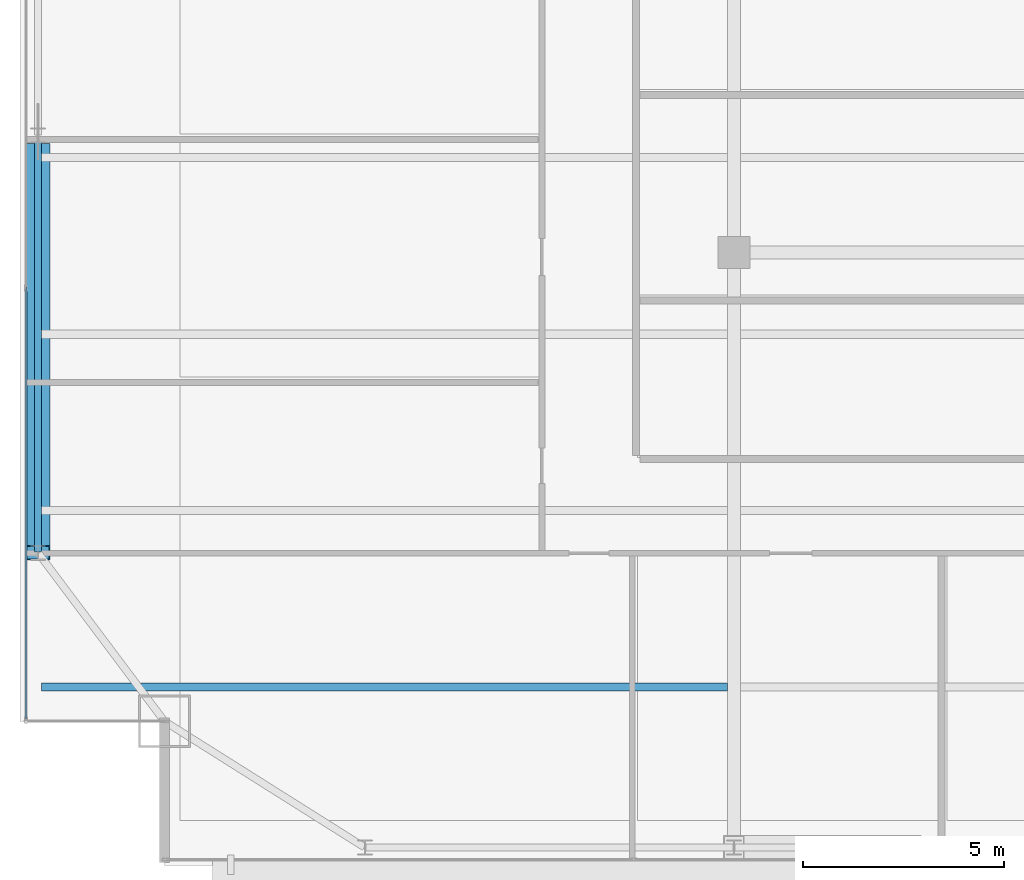
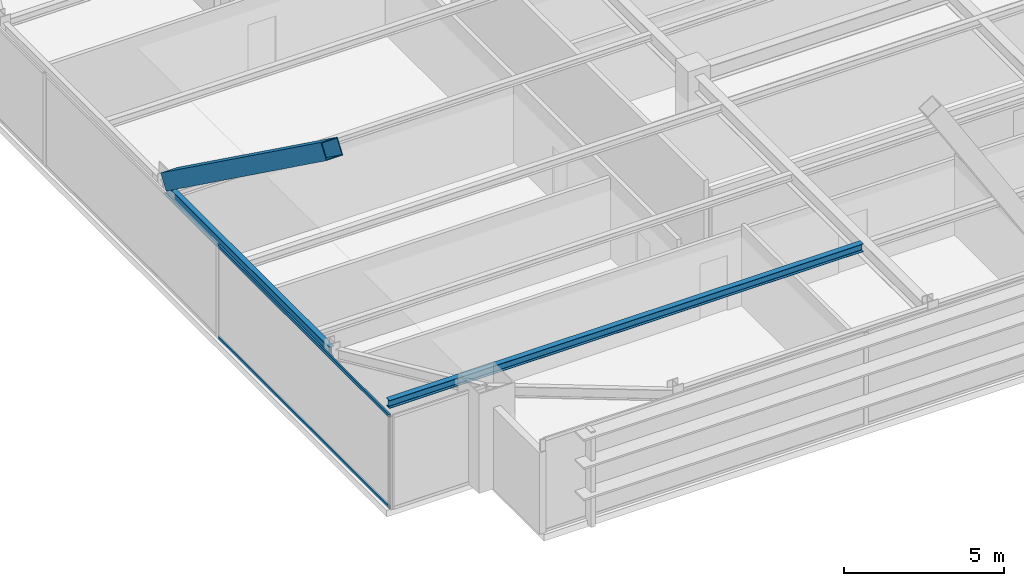
# One storey, part 6 of 30: 3 members, 2 beams, 1 element without a shape of its own.
"""IFC4 building model written with IfcOpenShell, lengths in metres."""

from ifc_helpers import new_model, si_unit, direction, frame, origin, origin_2d, place, context, subcontext, project, spatial, hollow_rectangle, i_section, extrude, source, transform, mapped, material, layer, layer_set, material_profile, profile_set, type_object, type_shapes, element, aggregate, save


model = new_model("IFC4")

# Units and contexts
model_context = context("Model", 3, precision=1e-05, world=origin(), true_north=direction((0.0, 1.0)))
body_context = subcontext(model_context, "Body", "Model", "MODEL_VIEW")
ifc_project = project(units=[si_unit("LENGTHUNIT", "METRE"), si_unit("AREAUNIT", "SQUARE_METRE"), si_unit("VOLUMEUNIT", "CUBIC_METRE"), si_unit("PLANEANGLEUNIT", "RADIAN"), si_unit("MASSUNIT", "GRAM", prefix="KILO")], contexts=[model_context])

# Site, building, storey
site_placement = place(None, origin())
site = spatial("IfcSite", under=ifc_project, at=site_placement, CompositionType="ELEMENT")
building_placement = place(site_placement, origin())
building = spatial("IfcBuilding", under=site, at=building_placement, Name="Varnel Quay Broadcast Tower", CompositionType="ELEMENT")
storey_placement = place(building_placement, frame((0.0, 0.0, 180.0)))
storey = spatial("IfcBuildingStorey", under=building, at=storey_placement, Name="L44", CompositionType="ELEMENT", Elevation=180.0)

# Beams
ifc_material_1 = material(Name="Structural Steel CSA G40.21 350W", Category="steel")
ifc_material_profile_1 = material_profile(ifc_material_1, i_section(OverallWidth=0.180908203125, OverallDepth=0.4169921875, WebThickness=0.010986328125, FlangeThickness=0.018310546875, FilletRadius=0.011962890625, at=origin_2d()), Name="W410X85")
ifc_profile_set_1 = profile_set([ifc_material_profile_1], Name="Structural Steel CSA G40.21 350W")
beam_type_1 = type_object("IfcBeamType", Name="Beam_W410X85", PredefinedType="SPANDREL", material=ifc_profile_set_1)
shared_shape_1 = source(origin(), body_context, "Body", "SweptSolid", [
    extrude(i_section(OverallWidth=0.180908203125, OverallDepth=0.4169921875, WebThickness=0.010986328125, FlangeThickness=0.018310546875, FilletRadius=0.011962890625, at=origin_2d()), origin(), (0.0, 0.0, 1.0), 10.35986328125),
])
type_shapes(beam_type_1, [shared_shape_1])
beam_1_placement = place(storey_placement, frame((7.449951171875, 15.02001953125, 3.341552734375), z_axis=(0.0, 1.0, 0.0), x_axis=(-1.0, 0.0, 0.0)))
element("IfcBeam", 1, at=beam_1_placement, inside=storey, type_object=beam_type_1, Name="L44 West Spandrel TC-W1-TC-W2", PredefinedType="SPANDREL", context=body_context, shape_type="MappedRepresentation", body=[
    mapped(shared_shape_1, transform((0.0, 0.0, 0.0), x_axis=(1.0, 0.0, 0.0), y_axis=(0.0, 1.0, 0.0), z_axis=(0.0, 0.0, 1.0), scale=1.0)),
])
ifc_material_profile_2 = material_profile(ifc_material_1, i_section(OverallWidth=0.202880859375, OverallDepth=0.302978515625, WebThickness=0.007568359375, FlangeThickness=0.01318359375, FilletRadius=0.011962890625, at=origin_2d()), Name="W310X60")
ifc_profile_set_2 = profile_set([ifc_material_profile_2], Name="Structural Steel CSA G40.21 350W")
beam_type_2 = type_object("IfcBeamType", Name="Beam_W310X60", PredefinedType="JOIST", material=ifc_profile_set_2)
shared_shape_2 = source(origin(), body_context, "Body", "SweptSolid", [
    extrude(i_section(OverallWidth=0.202880859375, OverallDepth=0.302978515625, WebThickness=0.007568359375, FlangeThickness=0.01318359375, FilletRadius=0.011962890625, at=origin_2d()), origin(), (0.0, 0.0, 1.0), 17.107177734375),
])
type_shapes(beam_type_2, [shared_shape_2])
beam_2_placement = place(storey_placement, frame((7.535400390625, 11.64990234375, 3.3984375), z_axis=(1.0, 0.0, 0.0), x_axis=(0.0, 1.0, 0.0)))
element("IfcBeam", 2, at=beam_2_placement, inside=storey, type_object=beam_type_2, Name="L44 West Floor Joist 1", PredefinedType="JOIST", context=body_context, shape_type="MappedRepresentation", body=[
    mapped(shared_shape_2, transform((0.0, 0.0, 0.0), x_axis=(1.0, 0.0, 0.0), y_axis=(0.0, 1.0, 0.0), z_axis=(0.0, 0.0, 1.0), scale=1.0)),
])

# Member
ifc_material_2 = material(Name="Structural Steel CSA G40.21 350WT", Category="steel")
ifc_material_profile_3 = material_profile(ifc_material_2, hollow_rectangle(XDim=0.60009765625, YDim=0.60009765625, WallThickness=0.028076171875, at=origin_2d()), Name="BOX600X600X28")
ifc_profile_set_3 = profile_set([ifc_material_profile_3], Name="Structural Steel CSA G40.21 350WT")
member_type_1 = type_object("IfcMemberType", Name="Brace_BOX600X600X28", PredefinedType="BRACE", material=ifc_profile_set_3)
shared_shape_3 = source(origin(), body_context, "Body", "SweptSolid", [
    extrude(hollow_rectangle(XDim=0.60009765625, YDim=0.60009765625, WallThickness=0.028076171875, at=origin_2d()), origin(), (0.0, 0.0, 1.0), 12.365234375),
])
type_shapes(member_type_1, [shared_shape_3])
member_1_placement = place(storey_placement, frame((7.449951171875, 25.023681640625, 3.859619140625), z_axis=(0.0, -0.810634971987, 0.585551827075), x_axis=(1.0, 0.0, 0.0)))
element("IfcMember", 3, at=member_1_placement, inside=storey, type_object=member_type_1, Name="Zone 3 Mega-Brace W-FT3 Split Diag B2", PredefinedType="BRACE", context=body_context, shape_type="MappedRepresentation", body=[
    mapped(shared_shape_3, transform((0.0, 0.0, 0.0), x_axis=(1.0, 0.0, 0.0), y_axis=(0.0, 1.0, 0.0), z_axis=(0.0, 0.0, 1.0), scale=1.0)),
])

# Curtain wall, members
ifc_material_3 = material(Name="Anodised Bronze Aluminium 6063-T6", Category="aluminium")
ifc_layer = layer(ifc_material_3, 0.18994140625, Name="Anodised Bronze Aluminium 6063-T6")
ifc_layer_set = layer_set([ifc_layer], Name="Anodised Bronze Aluminium 6063-T6")
curtain_wall_type = type_object("IfcCurtainWallType", Name="CW_UpperTower", PredefinedType="NOTDEFINED", material=ifc_layer_set)
curtain_wall_placement = place(storey_placement, origin())
curtain_wall = element("IfcCurtainWall", 4, at=curtain_wall_placement, inside=storey, type_object=curtain_wall_type, Name="L44 West Unitised Curtain Wall", PredefinedType="NOTDEFINED")
ifc_material_profile_4 = material_profile(ifc_material_3, hollow_rectangle(XDim=0.06005859375, YDim=0.125, WallThickness=0.0029296875, at=origin_2d()), Name="ALU60X125X3")
ifc_profile_set_4 = profile_set([ifc_material_profile_4], Name="Anodised Bronze Aluminium 6063-T6")
member_type_2 = type_object("IfcMemberType", Name="Tran_CWS-03", PredefinedType="USERDEFINED", material=ifc_profile_set_4)
shared_shape_4 = source(origin(), body_context, "Body", "SweptSolid", [
    extrude(hollow_rectangle(XDim=0.06005859375, YDim=0.125, WallThickness=0.0029296875, at=origin_2d()), origin(), (0.0, 0.0, 1.0), 10.702392578125),
])
type_shapes(member_type_2, [shared_shape_4])
member_2_placement = place(storey_placement, frame((7.14990234375, 10.864990234375, 0.030029296875), z_axis=(0.0, 1.0, 0.0), x_axis=(-1.0, 0.0, 0.0)))
member_2 = element("IfcMember", 5, at=member_2_placement, type_object=member_type_2, Name="CWS-03 transom 1.1", ObjectType="TRANSOM", PredefinedType="USERDEFINED", context=body_context, shape_type="MappedRepresentation", body=[
    mapped(shared_shape_4, transform((0.0, 0.0, 0.0), x_axis=(1.0, 0.0, 0.0), y_axis=(0.0, 1.0, 0.0), z_axis=(0.0, 0.0, 1.0), scale=1.0)),
])
member_3_placement = place(storey_placement, frame((7.14990234375, 10.864990234375, 3.52001953125), z_axis=(0.0, 1.0, 0.0), x_axis=(-1.0, 0.0, 0.0)))
member_3 = element("IfcMember", 6, at=member_3_placement, type_object=member_type_2, Name="CWS-03 transom 1.2", ObjectType="TRANSOM", PredefinedType="USERDEFINED", context=body_context, shape_type="MappedRepresentation", body=[
    mapped(shared_shape_4, transform((0.0, 0.0, 0.0), x_axis=(1.0, 0.0, 0.0), y_axis=(0.0, 1.0, 0.0), z_axis=(0.0, 0.0, 1.0), scale=1.0)),
])
aggregate(curtain_wall, [member_2, member_3])

save(model, "model.ifc")
